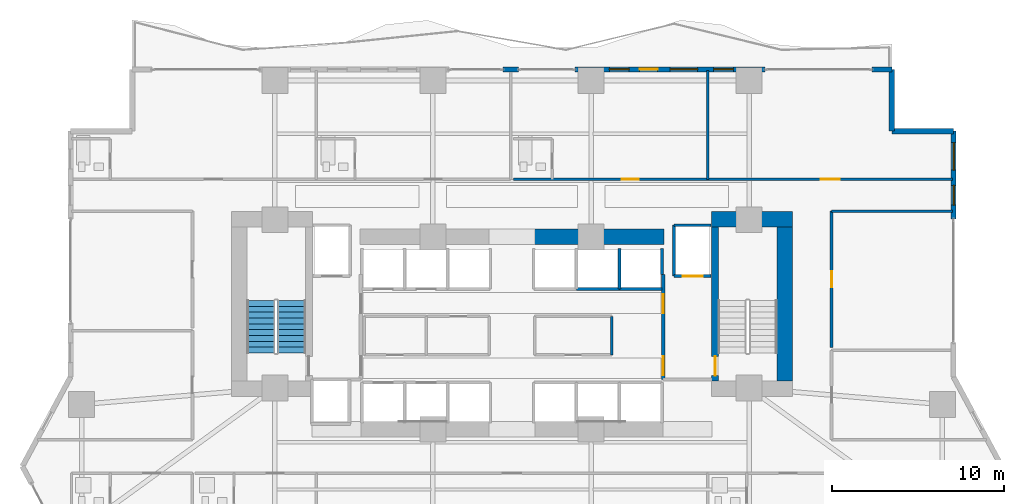
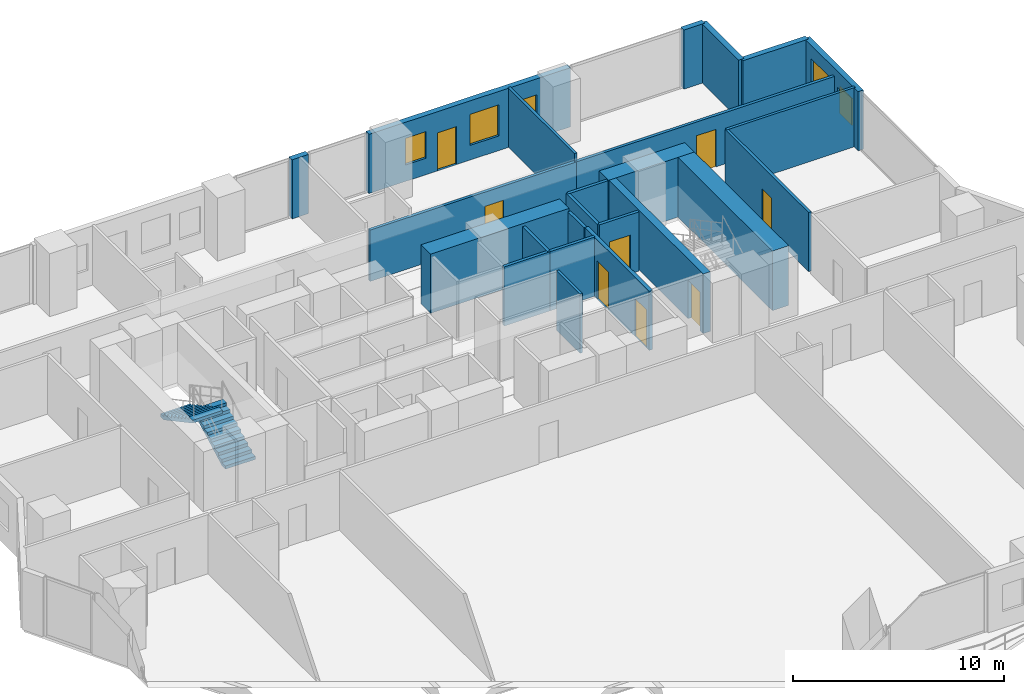
# One storey, part 22 of 28: 24 walls, 8 doors, 5 windows, 2 stair flights, 13 openings, 1 element without a shape of its own.
"""IFC4 building model written with IfcOpenShell, lengths in metres."""

from ifc_helpers import new_model, si_unit, direction, frame, frame_2d, origin, place, context, subcontext, project, spatial, polyline, rectangle, outline, extrude, material, layer, layer_set, type_object, element, fill, aggregate, save


model = new_model("IFC4")

# Units and contexts
model_context = context("Model", 3, precision=1e-05, world=origin(), true_north=direction((0.0, 1.0)))
body_context = subcontext(model_context, "Body", "Model", "MODEL_VIEW")
ifc_project = project(units=[si_unit("LENGTHUNIT", "METRE"), si_unit("AREAUNIT", "SQUARE_METRE"), si_unit("VOLUMEUNIT", "CUBIC_METRE"), si_unit("PLANEANGLEUNIT", "RADIAN"), si_unit("MASSUNIT", "GRAM", prefix="KILO")], contexts=[model_context])

# Site, building, storey
site_placement = place(None, origin())
site = spatial("IfcSite", under=ifc_project, at=site_placement, CompositionType="ELEMENT")
building_placement = place(site_placement, origin())
building = spatial("IfcBuilding", under=site, at=building_placement, Name="Zuhayl Quay Hotel", CompositionType="ELEMENT")
storey_placement = place(building_placement, frame((0.0, 0.0, 78.699951171875)))
storey = spatial("IfcBuildingStorey", under=building, at=storey_placement, Name="L19", CompositionType="ELEMENT", Elevation=78.699951171875)

# Walls
ifc_material_1 = material(Name="Concrete C70/85", Category="concrete")
ifc_layer_1 = layer(ifc_material_1, 0.89990234375, Name="Concrete C70/85", Category="concrete")
ifc_layer_set_1 = layer_set([ifc_layer_1], Name="Concrete C70/85")
wall_type_1 = type_object("IfcWallType", Name="WL_CORE_900", PredefinedType="SHEAR", material=ifc_layer_set_1)
wall_1_placement = place(storey_placement, frame((11.60009765625, 14.3798828125, 0.0), z_axis=(0.0, 0.0, 1.0), x_axis=(1.0, 0.0, 0.0)))
element("IfcWall", 1, at=wall_1_placement, inside=storey, type_object=wall_type_1, Name="L19 Core Shear Wall CW_NE", PredefinedType="SHEAR", context=body_context, shape_type="SweptSolid", body=[
    extrude(rectangle(XDim=4.7099609375, YDim=0.89990234375, at=frame_2d((2.35498046875, 0.0))), origin(), (0.0, 0.0, 1.0), 3.4599609375),
])
wall_2_placement = place(storey_placement, frame((15.860107421875, 4.969970703125, 0.0), z_axis=(0.0, 0.0, 1.0), x_axis=(0.0, 1.0, 0.0)))
element("IfcWall", 2, at=wall_2_placement, inside=storey, type_object=wall_type_1, Name="L19 Core Shear Wall CW_E", PredefinedType="SHEAR", context=body_context, shape_type="SweptSolid", body=[
    extrude(rectangle(XDim=8.9599609375, YDim=0.89990234375, at=frame_2d((4.47998046875, 0.0))), origin(), (0.0, 0.0, 1.0), 3.4599609375),
])
wall_3_placement = place(storey_placement, frame((1.25, 13.35009765625, 0.0), z_axis=(0.0, 0.0, 1.0), x_axis=(1.0, 0.0, 0.0)))
element("IfcWall", 3, at=wall_3_placement, inside=storey, type_object=wall_type_1, Name="L19 Core Shear Wall CW_NC_E", PredefinedType="SHEAR", context=body_context, shape_type="SweptSolid", body=[
    extrude(rectangle(XDim=7.60009765625, YDim=0.89990234375, at=frame_2d((3.800048828125, 0.0))), origin(), (0.0, 0.0, 1.0), 3.429931640625),
])
ifc_material_2 = material(Name="Precast concrete C45/55", Category="concrete")
ifc_layer_2 = layer(ifc_material_2, 0.300048828125, Name="Precast concrete C45/55", Category="concrete")
ifc_layer_set_2 = layer_set([ifc_layer_2], Name="Precast concrete C45/55")
wall_type_2 = type_object("IfcWallType", Name="WL_EXT_300", PredefinedType="STANDARD", material=ifc_layer_set_2)
wall_4_placement = place(storey_placement, frame((-0.530029296875, 23.10009765625, 0.0), z_axis=(0.0, 0.0, 1.0), x_axis=(1.0, 0.0, 0.0)))
element("IfcWall", 4, at=wall_4_placement, inside=storey, type_object=wall_type_2, Name="L19 Exterior Precast Wall ENV_L19_N_EW3", PredefinedType="STANDARD", context=body_context, shape_type="SweptSolid", body=[
    extrude(rectangle(XDim=0.900146484375, YDim=0.300048828125, at=frame_2d((0.4501953125, 0.0))), origin(), (0.0, 0.0, 1.0), 3.429931640625),
])

# Wall, openings, door, windows
wall_5_placement = place(storey_placement, frame((3.679931640625, 23.10009765625, 0.0), z_axis=(0.0, 0.0, 1.0), x_axis=(1.0, 0.0, 0.0)))
wall_5 = element("IfcWall", 5, at=wall_5_placement, inside=storey, type_object=wall_type_2, Name="L19 Exterior Precast Wall ENV_L19_N_EW4", PredefinedType="STANDARD", context=body_context, shape_type="SweptSolid", body=[
    extrude(rectangle(XDim=11.0400390625, YDim=0.300048828125, at=frame_2d((5.52001953125, 0.0))), origin(), (0.0, 0.0, 1.0), 3.429931640625),
])
opening_1_placement = place(wall_5_placement, frame((3.7509765625, 0.0, 0.0)))
opening_1 = element("IfcOpeningElement", 6, at=opening_1_placement, cuts=wall_5, Name="Opening DG1", PredefinedType="OPENING", context=body_context, shape_type="SweptSolid", body=[
    extrude(rectangle(XDim=1.050048828125, YDim=2.199951171875, at=frame_2d((0.52490234375, 1.10009765625))), frame((0.0, 0.159912109375, 0.0), z_axis=(0.0, -1.0, 0.0), x_axis=(1.0, 0.0, 0.0)), (0.0, 0.0, 1.0), 0.320068359375),
])
opening_2_placement = place(wall_5_placement, frame((1.985595703125, 0.0, 0.949951171875)))
opening_2 = element("IfcOpeningElement", 7, at=opening_2_placement, cuts=wall_5, Name="Opening W01N", PredefinedType="OPENING", context=body_context, shape_type="SweptSolid", body=[
    extrude(rectangle(XDim=1.14990234375, YDim=1.550048828125, at=frame_2d((0.574951171875, 0.77490234375))), frame((0.0, 0.159912109375, 0.0), z_axis=(0.0, -1.0, 0.0), x_axis=(1.0, 0.0, 0.0)), (0.0, 0.0, 1.0), 0.320068359375),
])
opening_3_placement = place(wall_5_placement, frame((5.525390625, 0.0, 0.85009765625)))
opening_3 = element("IfcOpeningElement", 8, at=opening_3_placement, cuts=wall_5, Name="Opening W01", PredefinedType="OPENING", context=body_context, shape_type="SweptSolid", body=[
    extrude(rectangle(XDim=1.60009765625, YDim=1.800048828125, at=frame_2d((0.800048828125, 0.89990234375))), frame((0.0, 0.159912109375, 0.0), z_axis=(0.0, -1.0, 0.0), x_axis=(1.0, 0.0, 0.0)), (0.0, 0.0, 1.0), 0.320068359375),
])
opening_4_placement = place(wall_5_placement, frame((8.054931640625, 0.0, 0.949951171875)))
opening_4 = element("IfcOpeningElement", 9, at=opening_4_placement, cuts=wall_5, Name="Opening W01N", PredefinedType="OPENING", context=body_context, shape_type="SweptSolid", body=[
    extrude(rectangle(XDim=1.14990234375, YDim=1.550048828125, at=frame_2d((0.574951171875, 0.77490234375))), frame((0.0, 0.159912109375, 0.0), z_axis=(0.0, -1.0, 0.0), x_axis=(1.0, 0.0, 0.0)), (0.0, 0.0, 1.0), 0.320068359375),
])
ifc_material_3 = material(Name="Anodised Aluminium and Dark Solar Glass", Category="aluminium")
door_type_1 = type_object("IfcDoorType", Name="DR_EXT_TERR_1050", OperationType="NOTDEFINED", PredefinedType="DOOR", material=ifc_material_3)
door_1_placement = place(opening_1_placement, origin())
door_1 = element("IfcDoor", 10, at=door_1_placement, inside=storey, type_object=door_type_1, Name="L19 North Rippling Balcony Door", OperationType="SINGLE_SWING_LEFT", OverallHeight=2.199951171875, OverallWidth=1.050048828125, PredefinedType="DOOR", context=body_context, shape_type="SweptSolid", body=[
    extrude(rectangle(XDim=1.050048828125, YDim=2.199951171875, at=frame_2d((0.52490234375, 1.10009765625))), frame((0.0, 0.02490234375, 0.0), z_axis=(0.0, -1.0, 0.0), x_axis=(1.0, 0.0, 0.0)), (0.0, 0.0, 1.0), 0.050048828125),
])
fill(opening_1, door_1)
ifc_material_4 = material(Name="Dark Ceramic-Fritted Solar Glass", Category="glass")
window_type_1 = type_object("IfcWindowType", Name="WN_NOTCH_1350", PartitioningType="SINGLE_PANEL", PredefinedType="WINDOW", material=ifc_material_4)
window_1_placement = place(opening_2_placement, origin())
window_1 = element("IfcWindow", 11, at=window_1_placement, inside=storey, type_object=window_type_1, Name="L19 Operable Facade Window 4-1", OverallHeight=1.550048828125, OverallWidth=1.14990234375, PartitioningType="SINGLE_PANEL", PredefinedType="WINDOW", context=body_context, shape_type="SweptSolid", body=[
    extrude(rectangle(XDim=1.14990234375, YDim=1.550048828125, at=frame_2d((0.574951171875, 0.77490234375))), frame((0.0, 0.030029296875, 0.0), z_axis=(0.0, -1.0, 0.0), x_axis=(1.0, 0.0, 0.0)), (0.0, 0.0, 1.0), 0.06005859375),
])
fill(opening_2, window_1)
window_2_placement = place(opening_4_placement, origin())
window_2 = element("IfcWindow", 12, at=window_2_placement, inside=storey, type_object=window_type_1, Name="L19 Operable Facade Window 4-3", OverallHeight=1.550048828125, OverallWidth=1.14990234375, PartitioningType="SINGLE_PANEL", PredefinedType="WINDOW", context=body_context, shape_type="SweptSolid", body=[
    extrude(rectangle(XDim=1.14990234375, YDim=1.550048828125, at=frame_2d((0.574951171875, 0.77490234375))), frame((0.0, 0.030029296875, 0.0), z_axis=(0.0, -1.0, 0.0), x_axis=(1.0, 0.0, 0.0)), (0.0, 0.0, 1.0), 0.06005859375),
])
fill(opening_4, window_2)
window_type_2 = type_object("IfcWindowType", Name="WN_OPERABLE_1600", PartitioningType="DOUBLE_PANEL_VERTICAL", PredefinedType="WINDOW", material=ifc_material_4)
window_3_placement = place(opening_3_placement, origin())
window_3 = element("IfcWindow", 13, at=window_3_placement, inside=storey, type_object=window_type_2, Name="L19 Operable Facade Window 4-2", OverallHeight=1.800048828125, OverallWidth=1.60009765625, PartitioningType="SINGLE_PANEL", PredefinedType="WINDOW", context=body_context, shape_type="SweptSolid", body=[
    extrude(rectangle(XDim=1.60009765625, YDim=1.800048828125, at=frame_2d((0.800048828125, 0.89990234375))), frame((0.0, 0.030029296875, 0.0), z_axis=(0.0, -1.0, 0.0), x_axis=(1.0, 0.0, 0.0)), (0.0, 0.0, 1.0), 0.06005859375),
])
fill(opening_3, window_3)

# Walls
wall_6_placement = place(storey_placement, frame((20.949951171875, 23.10009765625, 0.0), z_axis=(0.0, 0.0, 1.0), x_axis=(1.0, 0.0, 0.0)))
element("IfcWall", 14, at=wall_6_placement, inside=storey, type_object=wall_type_2, Name="L19 Exterior Precast Wall ENV_L19_N_EW5", PredefinedType="STANDARD", context=body_context, shape_type="SweptSolid", body=[
    extrude(rectangle(XDim=1.150146484375, YDim=0.300048828125, at=frame_2d((0.5751953125, 0.0))), origin(), (0.0, 0.0, 1.0), 3.429931640625),
])
wall_7_placement = place(storey_placement, frame((22.10009765625, 23.10009765625, 0.0), z_axis=(0.0, 0.0, 1.0), x_axis=(0.0, -1.0, 0.0)))
element("IfcWall", 15, at=wall_7_placement, inside=storey, type_object=wall_type_2, Name="L19 Exterior Precast Wall ENV_L19_EW09", PredefinedType="STANDARD", context=body_context, shape_type="SweptSolid", body=[
    extrude(rectangle(XDim=3.60009765625, YDim=0.300048828125, at=frame_2d((1.800048828125, 0.0))), origin(), (0.0, 0.0, 1.0), 3.429931640625),
])
wall_8_placement = place(storey_placement, frame((22.10009765625, 19.5, 0.0), z_axis=(0.0, 0.0, 1.0), x_axis=(1.0, 0.0, 0.0)))
element("IfcWall", 16, at=wall_8_placement, inside=storey, type_object=wall_type_2, Name="L19 Exterior Precast Wall ENV_L19_EW10", PredefinedType="STANDARD", context=body_context, shape_type="SweptSolid", body=[
    extrude(rectangle(XDim=3.599853515625, YDim=0.300048828125, at=frame_2d((1.7998046875, 0.0))), origin(), (0.0, 0.0, 1.0), 3.429931640625),
])

# Wall, openings, windows
wall_9_placement = place(storey_placement, frame((25.699951171875, 19.5, 0.0), z_axis=(0.0, 0.0, 1.0), x_axis=(0.0, -1.0, 0.0)))
wall_9 = element("IfcWall", 17, at=wall_9_placement, inside=storey, type_object=wall_type_2, Name="L19 Exterior Precast Wall ENV_L19_E11_EW1", PredefinedType="STANDARD", context=body_context, shape_type="SweptSolid", body=[
    extrude(rectangle(XDim=5.10009765625, YDim=0.300048828125, at=frame_2d((2.550048828125, 0.0))), origin(), (0.0, 0.0, 1.0), 3.429931640625),
])
opening_5_placement = place(wall_9_placement, frame((0.659912109375, 0.0, 0.85009765625)))
opening_5 = element("IfcOpeningElement", 18, at=opening_5_placement, cuts=wall_9, Name="Opening W01", PredefinedType="OPENING", context=body_context, shape_type="SweptSolid", body=[
    extrude(rectangle(XDim=1.60009765625, YDim=1.800048828125, at=frame_2d((0.800048828125, 0.89990234375))), frame((0.0, 0.159912109375, 0.0), z_axis=(0.0, -1.0, 0.0), x_axis=(1.0, 0.0, 0.0)), (0.0, 0.0, 1.0), 0.320068359375),
])
opening_6_placement = place(wall_9_placement, frame((3.14990234375, 0.0, 0.949951171875)))
opening_6 = element("IfcOpeningElement", 19, at=opening_6_placement, cuts=wall_9, Name="Opening W01N", PredefinedType="OPENING", context=body_context, shape_type="SweptSolid", body=[
    extrude(rectangle(XDim=1.14990234375, YDim=1.550048828125, at=frame_2d((0.574951171875, 0.77490234375))), frame((0.0, 0.159912109375, 0.0), z_axis=(0.0, -1.0, 0.0), x_axis=(1.0, 0.0, 0.0)), (0.0, 0.0, 1.0), 0.320068359375),
])
window_4_placement = place(opening_6_placement, origin())
window_4 = element("IfcWindow", 20, at=window_4_placement, inside=storey, type_object=window_type_1, Name="L19 Operable Facade Window 1-2", OverallHeight=1.550048828125, OverallWidth=1.14990234375, PartitioningType="SINGLE_PANEL", PredefinedType="WINDOW", context=body_context, shape_type="SweptSolid", body=[
    extrude(rectangle(XDim=1.14990234375, YDim=1.550048828125, at=frame_2d((0.574951171875, 0.77490234375))), frame((0.0, 0.030029296875, 0.0), z_axis=(0.0, -1.0, 0.0), x_axis=(1.0, 0.0, 0.0)), (0.0, 0.0, 1.0), 0.06005859375),
])
fill(opening_6, window_4)
window_5_placement = place(opening_5_placement, origin())
window_5 = element("IfcWindow", 21, at=window_5_placement, inside=storey, type_object=window_type_2, Name="L19 Operable Facade Window 1-1", OverallHeight=1.800048828125, OverallWidth=1.60009765625, PartitioningType="SINGLE_PANEL", PredefinedType="WINDOW", context=body_context, shape_type="SweptSolid", body=[
    extrude(rectangle(XDim=1.60009765625, YDim=1.800048828125, at=frame_2d((0.800048828125, 0.89990234375))), frame((0.0, 0.030029296875, 0.0), z_axis=(0.0, -1.0, 0.0), x_axis=(1.0, 0.0, 0.0)), (0.0, 0.0, 1.0), 0.06005859375),
])
fill(opening_5, window_5)

# Walls
ifc_material_5 = material(Name="Acoustic Gypsum Partition STC-58")
ifc_layer_3 = layer(ifc_material_5, 0.14990234375, Name="Acoustic Gypsum Partition STC-58")
ifc_layer_set_3 = layer_set([ifc_layer_3], Name="Acoustic Gypsum Partition STC-58")
wall_type_3 = type_object("IfcWallType", Name="WL_PART_150", PredefinedType="PARTITIONING", material=ifc_layer_set_3)
wall_10_placement = place(storey_placement, frame((5.81005859375, 6.47998046875, 0.0), z_axis=(0.0, 0.0, 1.0), x_axis=(0.0, 1.0, 0.0)))
element("IfcWall", 22, at=wall_10_placement, inside=storey, type_object=wall_type_3, Name="L19 Partition IW_L19_CORE_PN_E", PredefinedType="PARTITIONING", context=body_context, shape_type="SweptSolid", body=[
    extrude(rectangle(XDim=2.239990234375, YDim=0.14990234375, at=frame_2d((1.1201171875, 0.0))), origin(), (0.0, 0.0, 1.0), 3.429931640625),
])
wall_11_placement = place(storey_placement, frame((11.39990234375, 16.699951171875, 0.0), z_axis=(0.0, 0.0, 1.0), x_axis=(0.0, 1.0, 0.0)))
element("IfcWall", 23, at=wall_11_placement, inside=storey, type_object=wall_type_3, Name="L19 Partition IW_L19_NU02B_E", PredefinedType="PARTITIONING", context=body_context, shape_type="SweptSolid", body=[
    extrude(rectangle(XDim=6.320068359375, YDim=0.14990234375, at=frame_2d((3.16015625, 0.0))), origin(), (0.0, 0.0, 1.0), 3.429931640625),
])
wall_12_placement = place(storey_placement, frame((18.60009765625, 14.85009765625, 0.0), z_axis=(0.0, 0.0, 1.0), x_axis=(1.0, 0.0, 0.0)))
element("IfcWall", 24, at=wall_12_placement, inside=storey, type_object=wall_type_3, Name="L19 Partition IW_L19_EFLK_2_N", PredefinedType="PARTITIONING", context=body_context, shape_type="SweptSolid", body=[
    extrude(rectangle(XDim=7.039794921875, YDim=0.14990234375, at=frame_2d((3.52001953125, 0.0))), origin(), (0.0, 0.0, 1.0), 3.429931640625),
])

# Wall, opening, door
ifc_layer_4 = layer(ifc_material_5, 0.159912109375, Name="Acoustic Gypsum Partition STC-58")
ifc_layer_set_4 = layer_set([ifc_layer_4], Name="Acoustic Gypsum Partition STC-58")
wall_type_4 = type_object("IfcWallType", Name="WL_PART_CORR_160", PredefinedType="PARTITIONING", material=ifc_layer_set_4)
wall_13_placement = place(storey_placement, frame((0.080078125, 16.699951171875, 0.0), z_axis=(0.0, 0.0, 1.0), x_axis=(1.0, 0.0, 0.0)))
wall_13 = element("IfcWall", 25, at=wall_13_placement, inside=storey, type_object=wall_type_4, Name="L19 Partition IW_L19_NU02B_COR", PredefinedType="PARTITIONING", context=body_context, shape_type="SweptSolid", body=[
    extrude(rectangle(XDim=11.31982421875, YDim=0.159912109375, at=frame_2d((5.659912109375, 0.0))), origin(), (0.0, 0.0, 1.0), 2.97314453125),
])
opening_7_placement = place(wall_13_placement, frame((6.31005859375, 0.0, 0.0)))
opening_7 = element("IfcOpeningElement", 26, at=opening_7_placement, cuts=wall_13, Name="Opening D03L", PredefinedType="OPENING", context=body_context, shape_type="SweptSolid", body=[
    extrude(rectangle(XDim=1.0, YDim=2.14990234375, at=frame_2d((0.5, 1.074951171875))), frame((0.0, 0.08984375, 0.0), z_axis=(0.0, -1.0, 0.0), x_axis=(1.0, 0.0, 0.0)), (0.0, 0.0, 1.0), 0.179931640625),
])
ifc_material_6 = material(Name="Solid Walnut Acoustic Fire Door")
door_type_2 = type_object("IfcDoorType", Name="DR_SUITE_1000", OperationType="NOTDEFINED", PredefinedType="DOOR", material=ifc_material_6)
door_2_placement = place(opening_7_placement, origin())
door_2 = element("IfcDoor", 27, at=door_2_placement, inside=storey, type_object=door_type_2, Name="L19 Deluxe Gulf Guest Room L19-02B Entrance Door", OperationType="SINGLE_SWING_RIGHT", OverallHeight=2.14990234375, OverallWidth=1.0, PredefinedType="DOOR", context=body_context, shape_type="SweptSolid", body=[
    extrude(rectangle(XDim=1.0, YDim=2.14990234375, at=frame_2d((0.5, 1.074951171875))), frame((0.0, 0.02490234375, 0.0), z_axis=(0.0, -1.0, 0.0), x_axis=(1.0, 0.0, 0.0)), (0.0, 0.0, 1.0), 0.050048828125),
])
fill(opening_7, door_2)

wall_14_placement = place(storey_placement, frame((11.39990234375, 16.699951171875, 0.0), z_axis=(0.0, 0.0, 1.0), x_axis=(1.0, 0.0, 0.0)))
wall_14 = element("IfcWall", 28, at=wall_14_placement, inside=storey, type_object=wall_type_4, Name="L19 Partition IW_L19_NSAL_2_S", PredefinedType="PARTITIONING", context=body_context, shape_type="SweptSolid", body=[
    extrude(rectangle(XDim=14.239990234375, YDim=0.159912109375, at=frame_2d((7.1201171875, 0.0))), origin(), (0.0, 0.0, 1.0), 2.97314453125),
])
opening_8_placement = place(wall_14_placement, frame((6.580078125, 0.0, 0.0)))
opening_8 = element("IfcOpeningElement", 29, at=opening_8_placement, cuts=wall_14, Name="Opening D05A", PredefinedType="OPENING", context=body_context, shape_type="SweptSolid", body=[
    extrude(rectangle(XDim=1.080078125, YDim=2.179931640625, at=frame_2d((0.5400390625, 1.08984375))), frame((0.0, 0.08984375, 0.0), z_axis=(0.0, -1.0, 0.0), x_axis=(1.0, 0.0, 0.0)), (0.0, 0.0, 1.0), 0.179931640625),
])
door_type_3 = type_object("IfcDoorType", Name="DR_INT_1100", OperationType="NOTDEFINED", PredefinedType="DOOR", material=ifc_material_6)
door_3_placement = place(opening_8_placement, origin())
door_3 = element("IfcDoor", 30, at=door_3_placement, inside=storey, type_object=door_type_3, Name="L19 Terrace Tea Salon Door", OperationType="SINGLE_SWING_LEFT", OverallHeight=2.179931640625, OverallWidth=1.080078125, PredefinedType="DOOR", context=body_context, shape_type="SweptSolid", body=[
    extrude(rectangle(XDim=1.080078125, YDim=2.179931640625, at=frame_2d((0.5400390625, 1.08984375))), frame((0.0, 0.02490234375, 0.0), z_axis=(0.0, -1.0, 0.0), x_axis=(1.0, 0.0, 0.0)), (0.0, 0.0, 1.0), 0.050048828125),
])
fill(opening_8, door_3)

wall_15_placement = place(storey_placement, frame((18.60009765625, 6.909912109375, 0.0), z_axis=(0.0, 0.0, 1.0), x_axis=(0.0, 1.0, 0.0)))
wall_15 = element("IfcWall", 31, at=wall_15_placement, inside=storey, type_object=wall_type_4, Name="L19 Partition IW_L19_EFLK_2_W", PredefinedType="PARTITIONING", context=body_context, shape_type="SweptSolid", body=[
    extrude(rectangle(XDim=7.940185546875, YDim=0.159912109375, at=frame_2d((3.97021484375, 0.0))), origin(), (0.0, 0.0, 1.0), 3.429931640625),
])
opening_9_placement = place(wall_15_placement, frame((3.510009765625, 0.0, 0.0)))
opening_9 = element("IfcOpeningElement", 32, at=opening_9_placement, cuts=wall_15, Name="Opening D05", PredefinedType="OPENING", context=body_context, shape_type="SweptSolid", body=[
    extrude(rectangle(XDim=0.919921875, YDim=2.1201171875, at=frame_2d((0.4599609375, 1.06005859375))), frame((0.0, 0.08984375, 0.0), z_axis=(0.0, -1.0, 0.0), x_axis=(1.0, 0.0, 0.0)), (0.0, 0.0, 1.0), 0.179931640625),
])
door_type_4 = type_object("IfcDoorType", Name="DR_INT_950", OperationType="NOTDEFINED", PredefinedType="DOOR", material=ifc_material_6)
door_4_placement = place(opening_9_placement, origin())
door_4 = element("IfcDoor", 33, at=door_4_placement, inside=storey, type_object=door_type_4, Name="L19 East Prow Reading Lounge L19 Door", OperationType="SINGLE_SWING_RIGHT", OverallHeight=2.1201171875, OverallWidth=0.919921875, PredefinedType="DOOR", context=body_context, shape_type="SweptSolid", body=[
    extrude(rectangle(XDim=0.919921875, YDim=2.1201171875, at=frame_2d((0.4599609375, 1.06005859375))), frame((0.0, 0.02490234375, 0.0), z_axis=(0.0, -1.0, 0.0), x_axis=(1.0, 0.0, 0.0)), (0.0, 0.0, 1.0), 0.050048828125),
])
fill(opening_9, door_4)

ifc_material_7 = material(Name="Gypsum Fireboard Assembly EI-90")
ifc_layer_5 = layer(ifc_material_7, 0.1650390625, Name="Gypsum Fireboard Assembly EI-90")
ifc_layer_set_5 = layer_set([ifc_layer_5], Name="Gypsum Fireboard Assembly EI-90")
wall_type_5 = type_object("IfcWallType", Name="WL_PART_SHAFT_160", PredefinedType="PARTITIONING", material=ifc_layer_set_5)
wall_16_placement = place(storey_placement, frame((9.419921875, 11.070068359375, 0.0), z_axis=(0.0, 0.0, 1.0), x_axis=(1.0, 0.0, 0.0)))
wall_16 = element("IfcWall", 34, at=wall_16_placement, inside=storey, type_object=wall_type_5, Name="L19 Partition IW_L19_SH_FL2_F", PredefinedType="PARTITIONING", context=body_context, shape_type="SweptSolid", body=[
    extrude(rectangle(XDim=2.16015625, YDim=0.1650390625, at=frame_2d((1.080078125, 0.0))), origin(), (0.0, 0.0, 1.0), 3.429931640625),
])
opening_10_placement = place(wall_16_placement, frame((0.530029296875, 0.0, 0.0)))
opening_10 = element("IfcOpeningElement", 35, at=opening_10_placement, cuts=wall_16, Name="Opening LD2", PredefinedType="OPENING", context=body_context, shape_type="SweptSolid", body=[
    extrude(rectangle(XDim=1.14990234375, YDim=2.25, at=frame_2d((0.574951171875, 1.125))), frame((0.0, 0.092529296875, 0.0), z_axis=(0.0, -1.0, 0.0), x_axis=(1.0, 0.0, 0.0)), (0.0, 0.0, 1.0), 0.18505859375),
])
ifc_material_8 = material(Name="Brushed Stainless Steel", Category="steel")
door_type_5 = type_object("IfcDoorType", Name="DR_LIFT_FF_1100", OperationType="SLIDING_TO_LEFT", PredefinedType="DOOR", material=ifc_material_8)
door_5_placement = place(opening_10_placement, origin())
door_5 = element("IfcDoor", 36, at=door_5_placement, inside=storey, type_object=door_type_5, Name="L19 Lift FL2 Sliding Landing Door", OperationType="SLIDING_TO_LEFT", OverallHeight=2.25, OverallWidth=1.14990234375, PredefinedType="DOOR", context=body_context, shape_type="SweptSolid", body=[
    extrude(rectangle(XDim=1.14990234375, YDim=2.25, at=frame_2d((0.574951171875, 1.125))), frame((0.0, 0.02490234375, 0.0), z_axis=(0.0, -1.0, 0.0), x_axis=(1.0, 0.0, 0.0)), (0.0, 0.0, 1.0), 0.050048828125),
])
fill(opening_10, door_5)

# Walls
wall_17_placement = place(storey_placement, frame((9.419921875, 11.070068359375, 0.0), z_axis=(0.0, 0.0, 1.0), x_axis=(0.0, 1.0, 0.0)))
element("IfcWall", 37, at=wall_17_placement, inside=storey, type_object=wall_type_5, Name="L19 Partition IW_L19_SH_FL2_W", PredefinedType="PARTITIONING", context=body_context, shape_type="SweptSolid", body=[
    extrude(rectangle(XDim=2.9599609375, YDim=0.1650390625, at=frame_2d((1.47998046875, 0.0))), origin(), (0.0, 0.0, 1.0), 3.429931640625),
])
wall_18_placement = place(storey_placement, frame((9.419921875, 14.030029296875, 0.0), z_axis=(0.0, 0.0, 1.0), x_axis=(1.0, 0.0, 0.0)))
element("IfcWall", 38, at=wall_18_placement, inside=storey, type_object=wall_type_5, Name="L19 Partition IW_L19_SH_FL2_B", PredefinedType="PARTITIONING", context=body_context, shape_type="SweptSolid", body=[
    extrude(rectangle(XDim=2.16015625, YDim=0.1650390625, at=frame_2d((1.080078125, 0.0))), origin(), (0.0, 0.0, 1.0), 3.429931640625),
])
wall_19_placement = place(storey_placement, frame((3.75, 10.320068359375, 0.0), z_axis=(0.0, 0.0, 1.0), x_axis=(1.0, 0.0, 0.0)))
element("IfcWall", 39, at=wall_19_placement, inside=storey, type_object=wall_type_5, Name="L19 Partition IW_L19_SH_HP3_F", PredefinedType="PARTITIONING", context=body_context, shape_type="SweptSolid", body=[
    extrude(rectangle(XDim=2.5, YDim=0.1650390625, at=frame_2d((1.25, 0.0))), origin(), (0.0, 0.0, 1.0), 3.429931640625),
])
wall_20_placement = place(storey_placement, frame((6.25, 10.320068359375, 0.0), z_axis=(0.0, 0.0, 1.0), x_axis=(0.0, 1.0, 0.0)))
element("IfcWall", 40, at=wall_20_placement, inside=storey, type_object=wall_type_5, Name="L19 Partition IW_L19_SH_HP3_E", PredefinedType="PARTITIONING", context=body_context, shape_type="SweptSolid", body=[
    extrude(rectangle(XDim=2.35986328125, YDim=0.1650390625, at=frame_2d((1.179931640625, 0.0))), origin(), (0.0, 0.0, 1.0), 3.429931640625),
])
wall_21_placement = place(storey_placement, frame((6.25, 10.320068359375, 0.0), z_axis=(0.0, 0.0, 1.0), x_axis=(1.0, 0.0, 0.0)))
element("IfcWall", 41, at=wall_21_placement, inside=storey, type_object=wall_type_5, Name="L19 Partition IW_L19_SH_HP4_F", PredefinedType="PARTITIONING", context=body_context, shape_type="SweptSolid", body=[
    extrude(rectangle(XDim=2.47998046875, YDim=0.1650390625, at=frame_2d((1.239990234375, 0.0))), origin(), (0.0, 0.0, 1.0), 3.429931640625),
])
wall_22_placement = place(storey_placement, frame((8.72998046875, 11.14990234375, 0.0), z_axis=(0.0, 0.0, 1.0), x_axis=(0.0, 1.0, 0.0)))
element("IfcWall", 42, at=wall_22_placement, inside=storey, type_object=wall_type_5, Name="L19 Partition IW_L19_SH_HP4_E", PredefinedType="PARTITIONING", context=body_context, shape_type="SweptSolid", body=[
    extrude(rectangle(XDim=1.530029296875, YDim=0.1650390625, at=frame_2d((0.76513671875, 0.0))), origin(), (0.0, 0.0, 1.0), 3.429931640625),
])

# Wall, openings, doors
ifc_material_9 = material(Name="Gypsum Fireboard Assembly EI-120")
ifc_layer_6 = layer(ifc_material_9, 0.199951171875, Name="Gypsum Fireboard Assembly EI-120")
ifc_layer_set_6 = layer_set([ifc_layer_6], Name="Gypsum Fireboard Assembly EI-120")
wall_type_6 = type_object("IfcWallType", Name="WL_PART_SHAFT_200", PredefinedType="PARTITIONING", material=ifc_layer_set_6)
wall_23_placement = place(storey_placement, frame((8.800048828125, 11.14990234375, 0.0), z_axis=(0.0, 0.0, 1.0), x_axis=(0.0, -1.0, 0.0)))
wall_23 = element("IfcWall", 43, at=wall_23_placement, inside=storey, type_object=wall_type_6, Name="L19 Partition IW_L19_FSAE_E_W", PredefinedType="PARTITIONING", context=body_context, shape_type="SweptSolid", body=[
    extrude(rectangle(XDim=6.099853515625, YDim=0.199951171875, at=frame_2d((3.0498046875, 0.0))), origin(), (0.0, 0.0, 1.0), 3.429931640625),
])
opening_11_placement = place(wall_23_placement, frame((1.14990234375, 0.0, 0.0)))
opening_11 = element("IfcOpeningElement", 44, at=opening_11_placement, cuts=wall_23, Name="Opening D02", PredefinedType="OPENING", context=body_context, shape_type="SweptSolid", body=[
    extrude(rectangle(XDim=1.10009765625, YDim=2.199951171875, at=frame_2d((0.550048828125, 1.10009765625))), frame((0.0, 0.10986328125, 0.0), z_axis=(0.0, -1.0, 0.0), x_axis=(1.0, 0.0, 0.0)), (0.0, 0.0, 1.0), 0.219970703125),
])
opening_12_placement = place(wall_23_placement, frame((4.75, 0.0, 0.0)))
opening_12 = element("IfcOpeningElement", 45, at=opening_12_placement, cuts=wall_23, Name="Opening D02", PredefinedType="OPENING", context=body_context, shape_type="SweptSolid", body=[
    extrude(rectangle(XDim=1.10009765625, YDim=2.199951171875, at=frame_2d((0.550048828125, 1.10009765625))), frame((0.0, 0.10986328125, 0.0), z_axis=(0.0, -1.0, 0.0), x_axis=(1.0, 0.0, 0.0)), (0.0, 0.0, 1.0), 0.219970703125),
])
ifc_material_10 = material(Name="Steel ASTM A992 Grade 50", Category="steel")
door_type_6 = type_object("IfcDoorType", Name="DR_FIRE_90_1100", OperationType="NOTDEFINED", PredefinedType="DOOR", material=ifc_material_10)
door_6_placement = place(opening_11_placement, origin())
door_6 = element("IfcDoor", 46, at=door_6_placement, inside=storey, type_object=door_type_6, Name="L19 FSAE Lobby East North Entry Door", OperationType="SINGLE_SWING_RIGHT", OverallHeight=2.199951171875, OverallWidth=1.10009765625, PredefinedType="DOOR", context=body_context, shape_type="SweptSolid", body=[
    extrude(rectangle(XDim=1.10009765625, YDim=2.199951171875, at=frame_2d((0.550048828125, 1.10009765625))), frame((0.0, 0.02490234375, 0.0), z_axis=(0.0, -1.0, 0.0), x_axis=(1.0, 0.0, 0.0)), (0.0, 0.0, 1.0), 0.050048828125),
])
fill(opening_11, door_6)
door_7_placement = place(opening_12_placement, origin())
door_7 = element("IfcDoor", 47, at=door_7_placement, inside=storey, type_object=door_type_6, Name="L19 FSAE Lobby East South Entry Door", OperationType="SINGLE_SWING_LEFT", OverallHeight=2.199951171875, OverallWidth=1.10009765625, PredefinedType="DOOR", context=body_context, shape_type="SweptSolid", body=[
    extrude(rectangle(XDim=1.10009765625, YDim=2.199951171875, at=frame_2d((0.550048828125, 1.10009765625))), frame((0.0, 0.02490234375, 0.0), z_axis=(0.0, -1.0, 0.0), x_axis=(1.0, 0.0, 0.0)), (0.0, 0.0, 1.0), 0.050048828125),
])
fill(opening_12, door_7)

# Wall, opening, door
ifc_material_11 = material(Name="Concrete C60/75", Category="concrete")
ifc_layer_7 = layer(ifc_material_11, 0.39990234375, Name="Concrete C60/75", Category="concrete")
ifc_layer_set_7 = layer_set([ifc_layer_7], Name="Concrete C60/75")
wall_type_7 = type_object("IfcWallType", Name="WL_STAIR_400", PredefinedType="SHEAR", material=ifc_layer_set_7)
wall_24_placement = place(storey_placement, frame((11.820068359375, 13.929931640625, 0.0), z_axis=(0.0, 0.0, 1.0), x_axis=(0.0, -1.0, 0.0)))
wall_24 = element("IfcWall", 48, at=wall_24_placement, inside=storey, type_object=wall_type_7, Name="L19 Core Shear Wall SW_ST2", PredefinedType="SHEAR", context=body_context, shape_type="SweptSolid", body=[
    extrude(rectangle(XDim=8.9599609375, YDim=0.39990234375, at=frame_2d((4.47998046875, 0.0))), origin(), (0.0, 0.0, 1.0), 3.4599609375),
])
opening_13_placement = place(wall_24_placement, frame((7.530029296875, 0.0, 0.0)))
opening_13 = element("IfcOpeningElement", 49, at=opening_13_placement, cuts=wall_24, Name="Opening D01", PredefinedType="OPENING", context=body_context, shape_type="SweptSolid", body=[
    extrude(rectangle(XDim=1.1201171875, YDim=2.219970703125, at=frame_2d((0.56005859375, 1.10986328125))), frame((0.0, 0.2099609375, 0.0), z_axis=(0.0, -1.0, 0.0), x_axis=(1.0, 0.0, 0.0)), (0.0, 0.0, 1.0), 0.419921875),
])
door_type_7 = type_object("IfcDoorType", Name="DR_STAIR_90_1100", OperationType="NOTDEFINED", PredefinedType="DOOR", material=ifc_material_10)
door_8_placement = place(opening_13_placement, origin())
door_8 = element("IfcDoor", 50, at=door_8_placement, inside=storey, type_object=door_type_7, Name="L19 Smokeproof Exit Stair ST2 Door", OperationType="SINGLE_SWING_RIGHT", OverallHeight=2.219970703125, OverallWidth=1.1201171875, PredefinedType="DOOR", context=body_context, shape_type="SweptSolid", body=[
    extrude(rectangle(XDim=1.1201171875, YDim=2.219970703125, at=frame_2d((0.56005859375, 1.10986328125))), frame((0.0, 0.02490234375, 0.0), z_axis=(0.0, -1.0, 0.0), x_axis=(1.0, 0.0, 0.0)), (0.0, 0.0, 1.0), 0.050048828125),
])
fill(opening_13, door_8)

# Stair, stair flights
ifc_material_12 = material(Name="Concrete C45/55", Category="concrete")
stair_type = type_object("IfcStairType", Name="ST_DOGLEG_TOWER", PredefinedType="HALF_TURN_STAIR", material=ifc_material_12)
stair_placement = place(storey_placement, origin())
stair = element("IfcStair", 51, at=stair_placement, inside=storey, type_object=stair_type, Name="L19 Smokeproof Exit Stair ST1", PredefinedType="HALF_TURN_STAIR")
ifc_layer_8 = layer(ifc_material_12, 0.159912109375, Name="Concrete C45/55", Category="concrete")
ifc_layer_set_8 = layer_set([ifc_layer_8], Name="Concrete C45/55")
stair_flight_type = type_object("IfcStairFlightType", Name="SF_CONC_164", PredefinedType="STRAIGHT", material=ifc_layer_set_8)
stair_flight_1_placement = place(storey_placement, frame((-12.820068359375, 6.590087890625, 0.0), z_axis=(0.0, 0.0, 1.0), x_axis=(0.0, 1.0, 0.0)))
stair_flight_1 = element("IfcStairFlight", 52, at=stair_flight_1_placement, type_object=stair_flight_type, Name="ST1 flight 1", NumberOfRisers=10, NumberOfTreads=9, PredefinedType="STRAIGHT", RiserHeight=0.1825, TreadLength=0.34, context=body_context, shape_type="SweptSolid", body=[
    extrude(outline(polyline([(0.0, 0.0), (0.0, 0.1826171875), (0.340087890625, 0.1826171875), (0.340087890625, 0.364990234375), (0.679931640625, 0.364990234375), (0.679931640625, 0.547607421875), (1.02001953125, 0.547607421875), (1.02001953125, 0.72998046875), (1.360107421875, 0.72998046875), (1.360107421875, 0.91259765625), (1.699951171875, 0.91259765625), (1.699951171875, 1.094970703125), (2.0400390625, 1.094970703125), (2.0400390625, 1.277587890625), (2.3798828125, 1.277587890625), (2.3798828125, 1.4599609375), (2.719970703125, 1.4599609375), (2.719970703125, 1.642578125), (3.06005859375, 1.642578125), (3.06005859375, 1.824951171875), (3.06005859375, 1.472412109375), (0.31689453125, 0.0), (0.0, 0.0)])), frame((0.0, 0.81982421875, 0.0), z_axis=(0.0, -1.0, 0.0), x_axis=(1.0, 0.0, 0.0)), (0.0, 0.0, 1.0), 1.639892578125),
])
stair_flight_2_placement = place(storey_placement, frame((-14.610107421875, 9.64990234375, 1.824951171875), z_axis=(0.0, 0.0, 1.0), x_axis=(0.0, -1.0, 0.0)))
stair_flight_2 = element("IfcStairFlight", 53, at=stair_flight_2_placement, type_object=stair_flight_type, Name="ST1 flight 2", NumberOfRisers=10, NumberOfTreads=9, PredefinedType="STRAIGHT", RiserHeight=0.1825, TreadLength=0.34, context=body_context, shape_type="SweptSolid", body=[
    extrude(outline(polyline([(0.0, 0.0), (0.0, 0.1826171875), (0.340087890625, 0.1826171875), (0.340087890625, 0.364990234375), (0.679931640625, 0.364990234375), (0.679931640625, 0.547607421875), (1.02001953125, 0.547607421875), (1.02001953125, 0.72998046875), (1.360107421875, 0.72998046875), (1.360107421875, 0.91259765625), (1.699951171875, 0.91259765625), (1.699951171875, 1.094970703125), (2.0400390625, 1.094970703125), (2.0400390625, 1.277587890625), (2.3798828125, 1.277587890625), (2.3798828125, 1.4599609375), (2.719970703125, 1.4599609375), (2.719970703125, 1.642578125), (3.06005859375, 1.642578125), (3.06005859375, 1.824951171875), (3.06005859375, 1.472412109375), (0.31689453125, 0.0), (0.0, 0.0)])), frame((0.0, 0.81982421875, 0.0), z_axis=(0.0, -1.0, 0.0), x_axis=(1.0, 0.0, 0.0)), (0.0, 0.0, 1.0), 1.639892578125),
])
aggregate(stair, [stair_flight_1, stair_flight_2])

save(model, "model.ifc")
